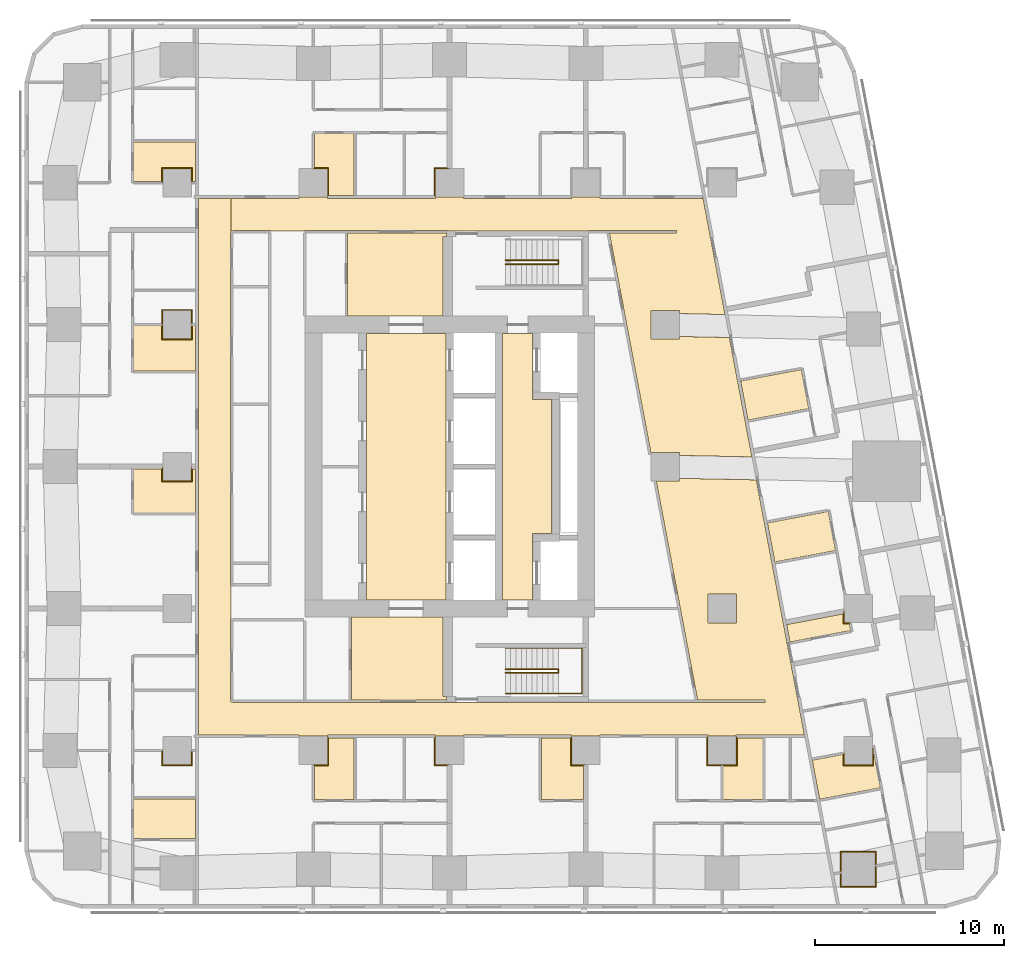
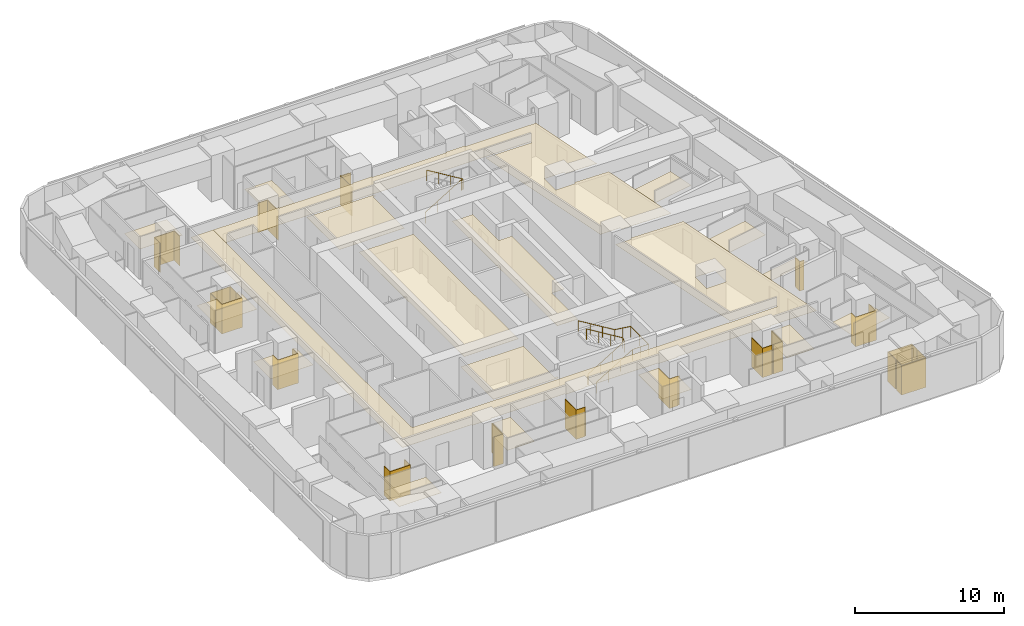
# One storey, part 14 of 15: 34 coverings, 3 railings.
"""IFC4 building model written with IfcOpenShell, lengths in metres."""

from ifc_helpers import new_model, si_unit, direction, frame, origin, origin_2d, place, context, subcontext, project, spatial, polyline, circle, outline, extrude, material, layer, layer_set, type_object, element, save


model = new_model("IFC4")

# Units and contexts
model_context = context("Model", 3, precision=1e-05, world=origin(), true_north=direction((0.0, 1.0)))
body_context = subcontext(model_context, "Body", "Model", "MODEL_VIEW")
ifc_project = project(units=[si_unit("LENGTHUNIT", "METRE"), si_unit("AREAUNIT", "SQUARE_METRE"), si_unit("VOLUMEUNIT", "CUBIC_METRE"), si_unit("PLANEANGLEUNIT", "RADIAN"), si_unit("MASSUNIT", "GRAM", prefix="KILO")], contexts=[model_context])

# Site, building, storey
site_placement = place(None, origin())
site = spatial("IfcSite", under=ifc_project, at=site_placement, CompositionType="ELEMENT")
building_placement = place(site_placement, origin())
building = spatial("IfcBuilding", under=site, at=building_placement, Name="Sheger Commons Tower", CompositionType="ELEMENT")
storey_placement = place(building_placement, frame((0.0, 0.0, 169.550048828125)))
storey = spatial("IfcBuildingStorey", under=building, at=storey_placement, Name="L43", CompositionType="ELEMENT", Elevation=169.550048828125)

# Railings
ifc_material_1 = material(Name="Steel handrail, black powder-coated", Category="steel")
railing_type = type_object("IfcRailingType", Name="HANDRAIL 900", PredefinedType="HANDRAIL", material=ifc_material_1)
railing_1_placement = place(storey_placement, frame((24.550048828125, 11.60009765625, 0.17041015625)))
element("IfcRailing", 1, at=railing_1_placement, inside=storey, type_object=railing_type, Name="Stair S1 handrail L43", PredefinedType="HANDRAIL", context=body_context, shape_type="SweptSolid", body=[
    extrude(circle(Radius=0.02392578125, at=origin_2d()), frame((0.0, 0.0, 0.8759765625), z_axis=(0.854169791009, 0.0, 0.51999420009), x_axis=(0.0, 1.0, 0.0)), (0.0, 0.0, 1.0), 3.278076171875),
    extrude(circle(Radius=0.02392578125, at=origin_2d()), frame((2.800048828125, 0.0, 2.58056640625), z_axis=(0.0, 0.761090297175, 0.648645943136), x_axis=(-1.0, 0.0, 0.0)), (0.0, 0.0, 1.0), 0.2626953125),
    extrude(circle(Radius=0.02392578125, at=origin_2d()), frame((2.800048828125, 0.199951171875, 2.7509765625), z_axis=(-0.854169791009, 0.0, 0.51999420009), x_axis=(0.0, -1.0, 0.0)), (0.0, 0.0, 1.0), 3.278076171875),
    extrude(circle(Radius=0.02099609375, at=origin_2d()), origin(), (0.0, 0.0, 1.0), 0.851806640625),
    extrude(circle(Radius=0.02099609375, at=origin_2d()), frame((0.933349609375, 0.0, 0.568115234375)), (0.0, 0.0, 1.0), 0.851806640625),
    extrude(circle(Radius=0.02099609375, at=origin_2d()), frame((1.86669921875, 0.0, 1.136474609375)), (0.0, 0.0, 1.0), 0.851806640625),
    extrude(circle(Radius=0.02099609375, at=origin_2d()), frame((2.800048828125, 0.0, 1.70458984375)), (0.0, 0.0, 1.0), 0.851806640625),
    extrude(circle(Radius=0.02099609375, at=origin_2d()), frame((2.800048828125, 0.199951171875, 1.875)), (0.0, 0.0, 1.0), 0.851806640625),
    extrude(circle(Radius=0.02099609375, at=origin_2d()), frame((1.86669921875, 0.199951171875, 2.443115234375)), (0.0, 0.0, 1.0), 0.851806640625),
    extrude(circle(Radius=0.02099609375, at=origin_2d()), frame((0.933349609375, 0.199951171875, 3.011474609375)), (0.0, 0.0, 1.0), 0.851806640625),
    extrude(circle(Radius=0.02099609375, at=origin_2d()), frame((0.0, 0.199951171875, 3.57958984375)), (0.0, 0.0, 1.0), 0.851806640625),
])
railing_2_placement = place(storey_placement, frame((24.550048828125, 10.5, 0.17041015625)))
element("IfcRailing", 2, at=railing_2_placement, inside=storey, type_object=railing_type, Name="Stair S1 handrail L43", PredefinedType="HANDRAIL", context=body_context, shape_type="SweptSolid", body=[
    extrude(circle(Radius=0.02392578125, at=origin_2d()), frame((0.0, 0.0, 0.8759765625), z_axis=(0.854169791009, 0.0, 0.51999420009), x_axis=(0.0, 1.0, 0.0)), (0.0, 0.0, 1.0), 3.278076171875),
    extrude(circle(Radius=0.02392578125, at=origin_2d()), frame((2.800048828125, 0.0, 2.58056640625), z_axis=(1.0, 0.0, 0.0), x_axis=(0.0, 1.0, 0.0)), (0.0, 0.0, 1.0), 1.25),
    extrude(circle(Radius=0.02392578125, at=origin_2d()), frame((4.050048828125, 0.0, 2.58056640625), z_axis=(0.0, 1.0, 0.0), x_axis=(-1.0, 0.0, 0.0)), (0.0, 0.0, 1.0), 2.39990234375),
    extrude(circle(Radius=0.02392578125, at=origin_2d()), frame((4.050048828125, 2.39990234375, 2.58056640625), z_axis=(-0.990834877927, 0.0, 0.135078661092), x_axis=(0.0, -1.0, 0.0)), (0.0, 0.0, 1.0), 1.261474609375),
    extrude(circle(Radius=0.02392578125, at=origin_2d()), frame((2.800048828125, 2.39990234375, 2.7509765625), z_axis=(-0.854169791009, 0.0, 0.51999420009), x_axis=(0.0, -1.0, 0.0)), (0.0, 0.0, 1.0), 3.278076171875),
    extrude(circle(Radius=0.02099609375, at=origin_2d()), origin(), (0.0, 0.0, 1.0), 0.851806640625),
    extrude(circle(Radius=0.02099609375, at=origin_2d()), frame((0.933349609375, 0.0, 0.568115234375)), (0.0, 0.0, 1.0), 0.851806640625),
    extrude(circle(Radius=0.02099609375, at=origin_2d()), frame((1.86669921875, 0.0, 1.136474609375)), (0.0, 0.0, 1.0), 0.851806640625),
    extrude(circle(Radius=0.02099609375, at=origin_2d()), frame((2.800048828125, 0.0, 1.70458984375)), (0.0, 0.0, 1.0), 0.851806640625),
    extrude(circle(Radius=0.02099609375, at=origin_2d()), frame((3.425048828125, 0.0, 1.70458984375)), (0.0, 0.0, 1.0), 0.851806640625),
    extrude(circle(Radius=0.02099609375, at=origin_2d()), frame((4.050048828125, 0.0, 1.70458984375)), (0.0, 0.0, 1.0), 0.851806640625),
    extrude(circle(Radius=0.02099609375, at=origin_2d()), frame((4.050048828125, 1.199951171875, 1.70458984375)), (0.0, 0.0, 1.0), 0.851806640625),
    extrude(circle(Radius=0.02099609375, at=origin_2d()), frame((4.050048828125, 2.39990234375, 1.70458984375)), (0.0, 0.0, 1.0), 0.851806640625),
    extrude(circle(Radius=0.02099609375, at=origin_2d()), frame((3.425048828125, 2.39990234375, 1.789794921875)), (0.0, 0.0, 1.0), 0.851806640625),
    extrude(circle(Radius=0.02099609375, at=origin_2d()), frame((2.800048828125, 2.39990234375, 1.875)), (0.0, 0.0, 1.0), 0.851806640625),
    extrude(circle(Radius=0.02099609375, at=origin_2d()), frame((1.86669921875, 2.39990234375, 2.443115234375)), (0.0, 0.0, 1.0), 0.851806640625),
    extrude(circle(Radius=0.02099609375, at=origin_2d()), frame((0.933349609375, 2.39990234375, 3.011474609375)), (0.0, 0.0, 1.0), 0.851806640625),
    extrude(circle(Radius=0.02099609375, at=origin_2d()), frame((0.0, 2.39990234375, 3.57958984375)), (0.0, 0.0, 1.0), 0.851806640625),
])
railing_3_placement = place(storey_placement, frame((24.550048828125, 33.39990234375, 0.17041015625)))
element("IfcRailing", 3, at=railing_3_placement, inside=storey, type_object=railing_type, Name="Stair S2 handrail L43", PredefinedType="HANDRAIL", context=body_context, shape_type="SweptSolid", body=[
    extrude(circle(Radius=0.02392578125, at=origin_2d()), frame((0.0, 0.0, 0.8759765625), z_axis=(0.854169791009, 0.0, 0.51999420009), x_axis=(0.0, 1.0, 0.0)), (0.0, 0.0, 1.0), 3.278076171875),
    extrude(circle(Radius=0.02392578125, at=origin_2d()), frame((2.800048828125, 0.0, 2.58056640625), z_axis=(0.0, -0.761090297175, 0.648645943136), x_axis=(1.0, 0.0, 0.0)), (0.0, 0.0, 1.0), 0.2626953125),
    extrude(circle(Radius=0.02392578125, at=origin_2d()), frame((2.800048828125, -0.199951171875, 2.7509765625), z_axis=(-0.854169791009, 0.0, 0.51999420009), x_axis=(0.0, -1.0, 0.0)), (0.0, 0.0, 1.0), 3.278076171875),
    extrude(circle(Radius=0.02099609375, at=origin_2d()), origin(), (0.0, 0.0, 1.0), 0.851806640625),
    extrude(circle(Radius=0.02099609375, at=origin_2d()), frame((0.933349609375, 0.0, 0.568115234375)), (0.0, 0.0, 1.0), 0.851806640625),
    extrude(circle(Radius=0.02099609375, at=origin_2d()), frame((1.86669921875, 0.0, 1.136474609375)), (0.0, 0.0, 1.0), 0.851806640625),
    extrude(circle(Radius=0.02099609375, at=origin_2d()), frame((2.800048828125, 0.0, 1.70458984375)), (0.0, 0.0, 1.0), 0.851806640625),
    extrude(circle(Radius=0.02099609375, at=origin_2d()), frame((2.800048828125, -0.199951171875, 1.875)), (0.0, 0.0, 1.0), 0.851806640625),
    extrude(circle(Radius=0.02099609375, at=origin_2d()), frame((1.86669921875, -0.199951171875, 2.443115234375)), (0.0, 0.0, 1.0), 0.851806640625),
    extrude(circle(Radius=0.02099609375, at=origin_2d()), frame((0.933349609375, -0.199951171875, 3.011474609375)), (0.0, 0.0, 1.0), 0.851806640625),
    extrude(circle(Radius=0.02099609375, at=origin_2d()), frame((0.0, -0.199951171875, 3.57958984375)), (0.0, 0.0, 1.0), 0.851806640625),
])

# Coverings
ifc_material_2 = material(Name="Moisture-resistant gypsum plasterboard 15 mm on a suspended galvanised steel grid", Category="steel")
ifc_layer_1 = layer(ifc_material_2, 0.014892578125)
ifc_layer_set_1 = layer_set([ifc_layer_1], Name="MOISTURE-RESISTANT CEILING 15")
covering_type_1 = type_object("IfcCoveringType", Name="MOISTURE-RESISTANT CEILING 15", PredefinedType="CEILING", material=ifc_layer_set_1)
covering_1_placement = place(storey_placement, frame((0.0, 0.0, 2.39990234375)))
element("IfcCovering", 4, at=covering_1_placement, inside=storey, type_object=covering_type_1, Name="L43-01.B3 ceiling", PredefinedType="CEILING", context=body_context, shape_type="SweptSolid", body=[
    extrude(outline(polyline([(4.905029296875, 2.843994140625), (8.169921875, 2.843994140625), (8.169921875, 4.944091796875), (4.905029296875, 4.944091796875), (4.905029296875, 2.843994140625)])), origin(), (0.0, 0.0, 1.0), 0.01513671875),
])
covering_2_placement = place(storey_placement, frame((0.0, 0.0, 2.39990234375)))
element("IfcCovering", 5, at=covering_2_placement, inside=storey, type_object=covering_type_1, Name="L43-02.B1 ceiling", PredefinedType="CEILING", context=body_context, shape_type="SweptSolid", body=[
    extrude(outline(polyline([(4.905029296875, 20.053955078125), (8.169921875, 20.053955078125), (8.169921875, 22.3701171875), (7.955078125, 22.3701171875), (7.955078125, 21.7451171875), (6.445068359375, 21.7451171875), (6.445068359375, 22.3701171875), (4.905029296875, 22.3701171875), (4.905029296875, 20.053955078125)])), origin(), (0.0, 0.0, 1.0), 0.01513671875),
])
covering_3_placement = place(storey_placement, frame((0.0, 0.0, 2.39990234375)))
element("IfcCovering", 6, at=covering_3_placement, inside=storey, type_object=covering_type_1, Name="L43-03.B1 ceiling", PredefinedType="CEILING", context=body_context, shape_type="SweptSolid", body=[
    extrude(outline(polyline([(4.905029296875, 27.553955078125), (8.169921875, 27.553955078125), (8.169921875, 29.945068359375), (7.955078125, 29.945068359375), (7.955078125, 29.2451171875), (6.445068359375, 29.2451171875), (6.445068359375, 29.945068359375), (4.905029296875, 29.945068359375), (4.905029296875, 27.553955078125)])), origin(), (0.0, 0.0, 1.0), 0.01513671875),
])
covering_4_placement = place(storey_placement, frame((0.0, 0.0, 2.39990234375)))
element("IfcCovering", 7, at=covering_4_placement, inside=storey, type_object=covering_type_1, Name="L43-04.B1 ceiling", PredefinedType="CEILING", context=body_context, shape_type="SweptSolid", body=[
    extrude(outline(polyline([(4.905029296875, 37.554931640625), (6.445068359375, 37.554931640625), (6.445068359375, 38.2548828125), (7.955078125, 38.2548828125), (7.955078125, 37.554931640625), (8.169921875, 37.554931640625), (8.169921875, 39.655029296875), (4.905029296875, 39.655029296875), (4.905029296875, 37.554931640625)])), origin(), (0.0, 0.0, 1.0), 0.01513671875),
])
covering_5_placement = place(storey_placement, frame((0.0, 0.0, 2.39990234375)))
element("IfcCovering", 8, at=covering_5_placement, inside=storey, type_object=covering_type_1, Name="L43-05.B1 ceiling", PredefinedType="CEILING", context=body_context, shape_type="SweptSolid", body=[
    extrude(outline(polyline([(14.455078125, 4.905029296875), (16.554931640625, 4.905029296875), (16.554931640625, 8.169921875), (15.155029296875, 8.169921875), (15.155029296875, 6.7451171875), (14.455078125, 6.7451171875), (14.455078125, 4.905029296875)])), origin(), (0.0, 0.0, 1.0), 0.01513671875),
])
covering_6_placement = place(storey_placement, frame((0.0, 0.0, 2.39990234375)))
element("IfcCovering", 9, at=covering_6_placement, inside=storey, type_object=covering_type_1, Name="L43-06.B1 ceiling", PredefinedType="CEILING", context=body_context, shape_type="SweptSolid", body=[
    extrude(outline(polyline([(26.4541015625, 4.905029296875), (28.669921875, 4.905029296875), (28.669921875, 6.7451171875), (28.044921875, 6.7451171875), (28.044921875, 8.169921875), (26.4541015625, 8.169921875), (26.4541015625, 4.905029296875)])), origin(), (0.0, 0.0, 1.0), 0.01513671875),
])
covering_7_placement = place(storey_placement, frame((0.0, 0.0, 2.39990234375)))
element("IfcCovering", 10, at=covering_7_placement, inside=storey, type_object=covering_type_1, Name="L43-07.B2 ceiling", PredefinedType="CEILING", context=body_context, shape_type="SweptSolid", body=[
    extrude(outline(polyline([(36.054931640625, 4.905029296875), (38.155029296875, 4.905029296875), (38.155029296875, 8.169921875), (36.7548828125, 8.169921875), (36.7548828125, 6.7451171875), (36.054931640625, 6.7451171875), (36.054931640625, 4.905029296875)])), origin(), (0.0, 0.0, 1.0), 0.01513671875),
])
covering_8_placement = place(storey_placement, frame((0.0, 0.0, 2.39990234375)))
element("IfcCovering", 11, at=covering_8_placement, inside=storey, type_object=covering_type_1, Name="L43-09.B1 ceiling", PredefinedType="CEILING", context=body_context, shape_type="SweptSolid", body=[
    extrude(outline(polyline([(37.37109375, 24.958984375), (40.5791015625, 25.56494140625), (40.18896484375, 27.62890625), (36.98193359375, 27.02294921875), (37.37109375, 24.958984375)])), origin(), (0.0, 0.0, 1.0), 0.01513671875),
])
covering_9_placement = place(storey_placement, frame((0.0, 0.0, 2.39990234375)))
element("IfcCovering", 12, at=covering_9_placement, inside=storey, type_object=covering_type_1, Name="L43-10.B1 ceiling", PredefinedType="CEILING", context=body_context, shape_type="SweptSolid", body=[
    extrude(outline(polyline([(38.7880859375, 17.4599609375), (41.99609375, 18.06494140625), (41.60595703125, 20.12890625), (38.39794921875, 19.52294921875), (38.7880859375, 17.4599609375)])), origin(), (0.0, 0.0, 1.0), 0.01513671875),
])
covering_10_placement = place(storey_placement, frame((0.0, 0.0, 2.39990234375)))
element("IfcCovering", 13, at=covering_10_placement, inside=storey, type_object=covering_type_1, Name="L43-11.B1 ceiling", PredefinedType="CEILING", context=body_context, shape_type="SweptSolid", body=[
    extrude(outline(polyline([(39.5859375, 13.23193359375), (42.794921875, 13.837890625), (42.719970703125, 14.235107421875), (42.762939453125, 14.242919921875), (42.762939453125, 14.2451171875), (42.445068359375, 14.2451171875), (42.445068359375, 14.72509765625), (39.4130859375, 14.152099609375), (39.5859375, 13.23193359375)])), origin(), (0.0, 0.0, 1.0), 0.01513671875),
])
covering_11_placement = place(storey_placement, frame((0.0, 0.0, 2.39990234375)))
element("IfcCovering", 14, at=covering_11_placement, inside=storey, type_object=covering_type_1, Name="L43-12.B1 ceiling", PredefinedType="CEILING", context=body_context, shape_type="SweptSolid", body=[
    extrude(outline(polyline([(41.156005859375, 4.9208984375), (44.364013671875, 5.527099609375), (43.964111328125, 7.64501953125), (43.955078125, 7.64306640625), (43.955078125, 6.7451171875), (42.445068359375, 6.7451171875), (42.445068359375, 7.302001953125), (40.76611328125, 6.985107421875), (41.156005859375, 4.9208984375)])), origin(), (0.0, 0.0, 1.0), 0.01513671875),
])
covering_12_placement = place(storey_placement, frame((0.0, 0.0, 2.39990234375)))
element("IfcCovering", 15, at=covering_12_placement, inside=storey, type_object=covering_type_1, Name="L43-13.B1 ceiling", PredefinedType="CEILING", context=body_context, shape_type="SweptSolid", body=[
    extrude(outline(polyline([(15.155029296875, 36.830078125), (16.554931640625, 36.830078125), (16.554931640625, 40.094970703125), (14.455078125, 40.094970703125), (14.455078125, 38.2548828125), (15.155029296875, 38.2548828125), (15.155029296875, 36.830078125)])), origin(), (0.0, 0.0, 1.0), 0.01513671875),
])
ifc_material_3 = material(Name="Gypsum plasterboard 15 mm on a suspended steel grid", Category="steel")
ifc_layer_2 = layer(ifc_material_3, 0.014892578125)
ifc_layer_set_2 = layer_set([ifc_layer_2], Name="SUSPENDED CEILING 15")
covering_type_2 = type_object("IfcCoveringType", Name="SUSPENDED CEILING 15", PredefinedType="CEILING", material=ifc_layer_set_2)
covering_13_placement = place(storey_placement, frame((0.0, 0.0, 2.699951171875)))
element("IfcCovering", 16, at=covering_13_placement, inside=storey, type_object=covering_type_2, Name="L43-CO ceiling", PredefinedType="CEILING", context=body_context, shape_type="SweptSolid", body=[
    extrude(outline(polyline([(13.654052734375, 8.2548828125), (15.14599609375, 8.2548828125), (15.14599609375, 8.330078125), (20.85400390625, 8.330078125), (20.85400390625, 8.2548828125), (22.345947265625, 8.2548828125), (22.345947265625, 8.330078125), (28.053955078125, 8.330078125), (28.053955078125, 8.2548828125), (29.5458984375, 8.2548828125), (29.5458984375, 8.330078125), (35.25390625, 8.330078125), (35.25390625, 8.2548828125), (36.74609375, 8.2548828125), (36.74609375, 8.330078125), (40.35009765625, 8.330078125), (37.805908203125, 21.798095703125), (33.7548828125, 21.8798828125), (33.7548828125, 21.7451171875), (32.52099609375, 21.7451171875), (34.705078125, 10.181884765625), (34.66796875, 10.175048828125), (34.669921875, 10.16796875), (38.27001953125, 10.16796875), (38.27001953125, 10.031982421875), (28.945068359375, 10.031982421875), (28.945068359375, 10.044921875), (21.455078125, 10.044921875), (21.455078125, 10.031982421875), (10.156982421875, 10.031982421875), (10.156982421875, 10.050048828125), (10.050048828125, 10.050048828125), (10.050048828125, 10.156982421875), (10.031982421875, 10.156982421875), (10.031982421875, 14.455078125), (10.050048828125, 14.455078125), (10.050048828125, 16.195068359375), (10.031982421875, 16.195068359375), (10.031982421875, 34.843017578125), (10.050048828125, 34.843017578125), (10.050048828125, 34.947998046875), (10.048095703125, 34.947998046875), (10.048095703125, 36.669921875), (8.330078125, 36.669921875), (8.330078125, 8.330078125), (13.654052734375, 8.330078125), (13.654052734375, 8.2548828125)]), holes=[polyline([(36.7548828125, 15.7548828125), (36.7548828125, 14.2451171875), (35.2451171875, 14.2451171875), (35.2451171875, 15.7548828125), (36.7548828125, 15.7548828125)])]), origin(), (0.0, 0.0, 1.0), 0.014892578125),
])
covering_14_placement = place(storey_placement, frame((0.0, 0.0, 2.699951171875)))
element("IfcCovering", 17, at=covering_14_placement, inside=storey, type_object=covering_type_2, Name="L43-CO ceiling", PredefinedType="CEILING", context=body_context, shape_type="SweptSolid", body=[
    extrude(outline(polyline([(37.575927734375, 23.011962890625), (36.385009765625, 29.318115234375), (33.7548828125, 29.3779296875), (33.7548828125, 29.2451171875), (32.2451171875, 29.2451171875), (32.2451171875, 30.7548828125), (33.7548828125, 30.7548828125), (33.7548828125, 30.587890625), (36.156005859375, 30.533935546875), (34.98193359375, 36.75), (34.97802734375, 36.75), (34.97802734375, 36.669921875), (33.572998046875, 36.669921875), (33.568115234375, 34.969970703125), (33.568115234375, 36.669921875), (29.5458984375, 36.669921875), (29.5458984375, 36.7451171875), (28.053955078125, 36.7451171875), (28.053955078125, 36.669921875), (22.345947265625, 36.669921875), (22.345947265625, 36.7451171875), (20.85400390625, 36.7451171875), (20.85400390625, 36.669921875), (15.14599609375, 36.669921875), (15.14599609375, 36.7451171875), (13.654052734375, 36.7451171875), (13.654052734375, 36.669921875), (10.052978515625, 36.669921875), (10.052978515625, 34.949951171875), (10.156982421875, 34.949951171875), (10.156982421875, 34.968017578125), (12.155029296875, 34.968017578125), (12.155029296875, 34.949951171875), (13.945068359375, 34.949951171875), (13.945068359375, 34.968017578125), (21.455078125, 34.968017578125), (21.455078125, 34.949951171875), (28.945068359375, 34.949951171875), (28.945068359375, 34.968017578125), (33.568115234375, 34.968017578125), (33.5849609375, 34.968017578125), (33.5849609375, 34.83203125), (30.048095703125, 34.83203125), (32.242919921875, 23.214111328125), (32.2451171875, 23.214111328125), (32.2451171875, 23.2548828125), (33.7548828125, 23.2548828125), (33.7548828125, 23.090087890625), (37.575927734375, 23.011962890625)])), origin(), (0.0, 0.0, 1.0), 0.014892578125),
])
covering_15_placement = place(storey_placement, frame((0.0, 0.0, 2.699951171875)))
element("IfcCovering", 18, at=covering_15_placement, inside=storey, type_object=covering_type_2, Name="L43-SVS1 ceiling", PredefinedType="CEILING", context=body_context, shape_type="SweptSolid", body=[
    extrude(outline(polyline([(16.406982421875, 10.16796875), (21.445068359375, 10.16796875), (21.445068359375, 10.344970703125), (21.2451171875, 10.344970703125), (21.2451171875, 14.544921875), (16.406982421875, 14.544921875), (16.406982421875, 10.16796875)])), origin(), (0.0, 0.0, 1.0), 0.014892578125),
])
covering_16_placement = place(storey_placement, frame((0.0, 0.0, 2.699951171875)))
element("IfcCovering", 19, at=covering_16_placement, inside=storey, type_object=covering_type_2, Name="L43-SVN1 ceiling", PredefinedType="CEILING", context=body_context, shape_type="SweptSolid", body=[
    extrude(outline(polyline([(16.217041015625, 30.455078125), (21.2451171875, 30.455078125), (21.2451171875, 34.655029296875), (21.445068359375, 34.655029296875), (21.445068359375, 34.83203125), (16.217041015625, 34.83203125), (16.217041015625, 30.455078125)])), origin(), (0.0, 0.0, 1.0), 0.014892578125),
])
covering_17_placement = place(storey_placement, frame((0.0, 0.0, 2.699951171875)))
element("IfcCovering", 20, at=covering_17_placement, inside=storey, type_object=covering_type_2, Name="L43-LL ceiling", PredefinedType="CEILING", context=body_context, shape_type="SweptSolid", body=[
    extrude(outline(polyline([(17.205078125, 15.455078125), (21.39990234375, 15.455078125), (21.39990234375, 29.544921875), (17.205078125, 29.544921875), (17.205078125, 15.455078125)])), origin(), (0.0, 0.0, 1.0), 0.014892578125),
])
covering_18_placement = place(storey_placement, frame((0.0, 0.0, 2.699951171875)))
element("IfcCovering", 21, at=covering_18_placement, inside=storey, type_object=covering_type_2, Name="L43-FL ceiling", PredefinedType="CEILING", context=body_context, shape_type="SweptSolid", body=[
    extrude(outline(polyline([(24.405029296875, 15.455078125), (25.9951171875, 15.455078125), (25.9951171875, 18.955078125), (26.9951171875, 18.955078125), (26.9951171875, 26.044921875), (25.9951171875, 26.044921875), (25.9951171875, 29.544921875), (24.405029296875, 29.544921875), (24.405029296875, 15.455078125)])), origin(), (0.0, 0.0, 1.0), 0.014892578125),
])
ifc_material_4 = material(Name="Moisture-resistant gypsum board 12.5 mm on 25 mm treated timber battens, tanked and tiled", Category="wood")
ifc_layer_3 = layer(ifc_material_4, 0.050048828125)
ifc_layer_set_3 = layer_set([ifc_layer_3], Name="WET-ROOM COLUMN LINING")
covering_type_3 = type_object("IfcCoveringType", Name="WET-ROOM COLUMN LINING", PredefinedType="CLADDING", material=ifc_layer_set_3)
covering_19_placement = place(storey_placement, origin())
element("IfcCovering", 22, at=covering_19_placement, inside=storey, type_object=covering_type_3, Name="Laundry room column lining C8 L43", PredefinedType="CLADDING", context=body_context, shape_type="SweptSolid", body=[
    extrude(outline(polyline([(44.14990234375, 2.175048828125), (44.14990234375, 1.455078125), (44.10107421875, 1.446044921875), (44.110107421875, 1.39697265625), (44.10009765625, 1.39501953125), (44.10009765625, 2.125), (42.300048828125, 2.125), (42.300048828125, 1.054931640625), (42.2900390625, 1.052978515625), (42.281005859375, 1.10205078125), (42.25, 1.095947265625), (42.25, 2.175048828125), (44.14990234375, 2.175048828125)])), origin(), (0.0, 0.0, 1.0), 2.39990234375),
])
covering_20_placement = place(storey_placement, origin())
element("IfcCovering", 23, at=covering_20_placement, inside=storey, type_object=covering_type_3, Name="Laundry room column lining C8 L43", PredefinedType="CLADDING", context=body_context, shape_type="SweptSolid", body=[
    extrude(outline(polyline([(42.300048828125, 1.054931640625), (42.300048828125, 0.324951171875), (44.10009765625, 0.324951171875), (44.10009765625, 1.39501953125), (44.110107421875, 1.39697265625), (44.118896484375, 1.347900390625), (44.14990234375, 1.35400390625), (44.14990234375, 0.27490234375), (42.25, 0.27490234375), (42.25, 0.9951171875), (42.299072265625, 1.00390625), (42.2900390625, 1.052978515625), (42.300048828125, 1.054931640625)])), origin(), (0.0, 0.0, 1.0), 2.39990234375),
])
covering_21_placement = place(storey_placement, origin())
element("IfcCovering", 24, at=covering_21_placement, inside=storey, type_object=covering_type_3, Name="Laundry room column lining C10 L43", PredefinedType="CLADDING", context=body_context, shape_type="SweptSolid", body=[
    extrude(outline(polyline([(6.449951171875, 7.5), (6.449951171875, 6.75), (7.949951171875, 6.75), (7.949951171875, 7.5), (7.950927734375, 7.5), (7.950927734375, 7.449951171875), (8.0, 7.449951171875), (8.0, 6.699951171875), (6.39990234375, 6.699951171875), (6.39990234375, 7.449951171875), (6.448974609375, 7.449951171875), (6.448974609375, 7.5), (6.449951171875, 7.5)])), origin(), (0.0, 0.0, 1.0), 2.39990234375),
])
covering_22_placement = place(storey_placement, origin())
element("IfcCovering", 25, at=covering_22_placement, inside=storey, type_object=covering_type_3, Name="Bathroom column lining C10 L43", PredefinedType="CLADDING", context=body_context, shape_type="SweptSolid", body=[
    extrude(outline(polyline([(14.449951171875, 6.699951171875), (14.449951171875, 6.7490234375), (14.39990234375, 6.7490234375), (14.39990234375, 6.75), (15.14990234375, 6.75), (15.14990234375, 8.25), (15.15087890625, 8.25), (15.15087890625, 8.175048828125), (15.199951171875, 8.175048828125), (15.199951171875, 6.699951171875), (14.449951171875, 6.699951171875)])), origin(), (0.0, 0.0, 1.0), 2.39990234375),
])
covering_23_placement = place(storey_placement, origin())
element("IfcCovering", 26, at=covering_23_placement, inside=storey, type_object=covering_type_3, Name="Laundry room column lining C10 L43", PredefinedType="CLADDING", context=body_context, shape_type="SweptSolid", body=[
    extrude(outline(polyline([(20.85009765625, 8.25), (20.85009765625, 6.75), (21.60009765625, 6.75), (21.60009765625, 6.7490234375), (21.47509765625, 6.7490234375), (21.47509765625, 6.699951171875), (20.800048828125, 6.699951171875), (20.800048828125, 8.175048828125), (20.84912109375, 8.175048828125), (20.84912109375, 8.25), (20.85009765625, 8.25)])), origin(), (0.0, 0.0, 1.0), 2.39990234375),
])
covering_24_placement = place(storey_placement, origin())
element("IfcCovering", 27, at=covering_24_placement, inside=storey, type_object=covering_type_3, Name="Bathroom column lining C10 L43", PredefinedType="CLADDING", context=body_context, shape_type="SweptSolid", body=[
    extrude(outline(polyline([(28.050048828125, 8.25), (28.050048828125, 6.75), (28.800048828125, 6.75), (28.800048828125, 6.7490234375), (28.675048828125, 6.7490234375), (28.675048828125, 6.699951171875), (28.0, 6.699951171875), (28.0, 8.175048828125), (28.049072265625, 8.175048828125), (28.049072265625, 8.25), (28.050048828125, 8.25)])), origin(), (0.0, 0.0, 1.0), 2.39990234375),
])
covering_25_placement = place(storey_placement, origin())
element("IfcCovering", 28, at=covering_25_placement, inside=storey, type_object=covering_type_3, Name="Laundry room column lining C10 L43", PredefinedType="CLADDING", context=body_context, shape_type="SweptSolid", body=[
    extrude(outline(polyline([(35.25, 8.25), (35.25, 6.75), (36.0, 6.75), (36.0, 6.7490234375), (35.949951171875, 6.7490234375), (35.949951171875, 6.699951171875), (35.199951171875, 6.699951171875), (35.199951171875, 8.175048828125), (35.2490234375, 8.175048828125), (35.2490234375, 8.25), (35.25, 8.25)])), origin(), (0.0, 0.0, 1.0), 2.39990234375),
])
covering_26_placement = place(storey_placement, origin())
element("IfcCovering", 29, at=covering_26_placement, inside=storey, type_object=covering_type_3, Name="Bathroom column lining C10 L43", PredefinedType="CLADDING", context=body_context, shape_type="SweptSolid", body=[
    extrude(outline(polyline([(36.050048828125, 6.699951171875), (36.050048828125, 6.7490234375), (36.0, 6.7490234375), (36.0, 6.75), (36.75, 6.75), (36.75, 8.25), (36.7509765625, 8.25), (36.7509765625, 8.175048828125), (36.800048828125, 8.175048828125), (36.800048828125, 6.699951171875), (36.050048828125, 6.699951171875)])), origin(), (0.0, 0.0, 1.0), 2.39990234375),
])
covering_27_placement = place(storey_placement, origin())
element("IfcCovering", 30, at=covering_27_placement, inside=storey, type_object=covering_type_3, Name="Bathroom column lining C10 L43", PredefinedType="CLADDING", context=body_context, shape_type="SweptSolid", body=[
    extrude(outline(polyline([(42.449951171875, 7.35888671875), (42.449951171875, 6.75), (43.949951171875, 6.75), (43.949951171875, 7.64208984375), (43.968994140625, 7.64599609375), (44.0, 7.47998046875), (44.0, 6.699951171875), (42.39990234375, 6.699951171875), (42.39990234375, 7.299072265625), (42.448974609375, 7.30810546875), (42.43994140625, 7.35693359375), (42.449951171875, 7.35888671875)])), origin(), (0.0, 0.0, 1.0), 2.39990234375),
])
covering_28_placement = place(storey_placement, origin())
element("IfcCovering", 31, at=covering_28_placement, inside=storey, type_object=covering_type_3, Name="Shower room column lining C10 L43", PredefinedType="CLADDING", context=body_context, shape_type="SweptSolid", body=[
    extrude(outline(polyline([(42.449951171875, 14.85791015625), (42.449951171875, 14.25), (42.77294921875, 14.25), (42.77490234375, 14.239990234375), (42.72607421875, 14.23095703125), (42.73193359375, 14.199951171875), (42.39990234375, 14.199951171875), (42.39990234375, 14.721923828125), (42.448974609375, 14.73095703125), (42.426025390625, 14.85302734375), (42.449951171875, 14.85791015625)])), origin(), (0.0, 0.0, 1.0), 2.39990234375),
])
covering_29_placement = place(storey_placement, origin())
element("IfcCovering", 32, at=covering_29_placement, inside=storey, type_object=covering_type_3, Name="Bathroom column lining C10 L43", PredefinedType="CLADDING", context=body_context, shape_type="SweptSolid", body=[
    extrude(outline(polyline([(6.449951171875, 22.5), (6.449951171875, 21.75), (7.949951171875, 21.75), (7.949951171875, 22.5), (7.950927734375, 22.5), (7.950927734375, 22.375), (8.0, 22.375), (8.0, 21.699951171875), (6.39990234375, 21.699951171875), (6.39990234375, 22.375), (6.448974609375, 22.375), (6.448974609375, 22.5), (6.449951171875, 22.5)])), origin(), (0.0, 0.0, 1.0), 2.39990234375),
])
covering_30_placement = place(storey_placement, origin())
element("IfcCovering", 33, at=covering_30_placement, inside=storey, type_object=covering_type_3, Name="Bathroom column lining C10 L43", PredefinedType="CLADDING", context=body_context, shape_type="SweptSolid", body=[
    extrude(outline(polyline([(6.449951171875, 30.0), (6.449951171875, 29.25), (7.949951171875, 29.25), (7.949951171875, 30.0), (7.950927734375, 30.0), (7.950927734375, 29.949951171875), (8.0, 29.949951171875), (8.0, 29.199951171875), (6.39990234375, 29.199951171875), (6.39990234375, 29.949951171875), (6.448974609375, 29.949951171875), (6.448974609375, 30.0), (6.449951171875, 30.0)])), origin(), (0.0, 0.0, 1.0), 2.39990234375),
])
covering_31_placement = place(storey_placement, origin())
element("IfcCovering", 34, at=covering_31_placement, inside=storey, type_object=covering_type_3, Name="Laundry room column lining C10 L43", PredefinedType="CLADDING", context=body_context, shape_type="SweptSolid", body=[
    extrude(outline(polyline([(8.0, 30.800048828125), (8.0, 30.050048828125), (7.950927734375, 30.050048828125), (7.950927734375, 30.0), (7.949951171875, 30.0), (7.949951171875, 30.75), (6.449951171875, 30.75), (6.449951171875, 30.0), (6.448974609375, 30.0), (6.448974609375, 30.050048828125), (6.39990234375, 30.050048828125), (6.39990234375, 30.800048828125), (8.0, 30.800048828125)])), origin(), (0.0, 0.0, 1.0), 2.39990234375),
])
covering_32_placement = place(storey_placement, origin())
element("IfcCovering", 35, at=covering_32_placement, inside=storey, type_object=covering_type_3, Name="Bathroom column lining C10 L43", PredefinedType="CLADDING", context=body_context, shape_type="SweptSolid", body=[
    extrude(outline(polyline([(8.0, 38.300048828125), (8.0, 37.550048828125), (7.950927734375, 37.550048828125), (7.950927734375, 37.5), (7.949951171875, 37.5), (7.949951171875, 38.25), (6.449951171875, 38.25), (6.449951171875, 37.5), (6.448974609375, 37.5), (6.448974609375, 37.550048828125), (6.39990234375, 37.550048828125), (6.39990234375, 38.300048828125), (8.0, 38.300048828125)])), origin(), (0.0, 0.0, 1.0), 2.39990234375),
])
covering_33_placement = place(storey_placement, origin())
element("IfcCovering", 36, at=covering_33_placement, inside=storey, type_object=covering_type_3, Name="Bathroom column lining C10 L43", PredefinedType="CLADDING", context=body_context, shape_type="SweptSolid", body=[
    extrude(outline(polyline([(15.199951171875, 36.824951171875), (15.15087890625, 36.824951171875), (15.15087890625, 36.75), (15.14990234375, 36.75), (15.14990234375, 38.25), (14.39990234375, 38.25), (14.39990234375, 38.2509765625), (14.449951171875, 38.2509765625), (14.449951171875, 38.300048828125), (15.199951171875, 38.300048828125), (15.199951171875, 36.824951171875)])), origin(), (0.0, 0.0, 1.0), 2.39990234375),
])
covering_34_placement = place(storey_placement, origin())
element("IfcCovering", 37, at=covering_34_placement, inside=storey, type_object=covering_type_3, Name="Laundry room column lining C10 L43", PredefinedType="CLADDING", context=body_context, shape_type="SweptSolid", body=[
    extrude(outline(polyline([(21.47509765625, 38.300048828125), (21.47509765625, 38.2509765625), (21.60009765625, 38.2509765625), (21.60009765625, 38.25), (20.85009765625, 38.25), (20.85009765625, 36.75), (20.84912109375, 36.75), (20.84912109375, 36.824951171875), (20.800048828125, 36.824951171875), (20.800048828125, 38.300048828125), (21.47509765625, 38.300048828125)])), origin(), (0.0, 0.0, 1.0), 2.39990234375),
])

save(model, "model.ifc")
